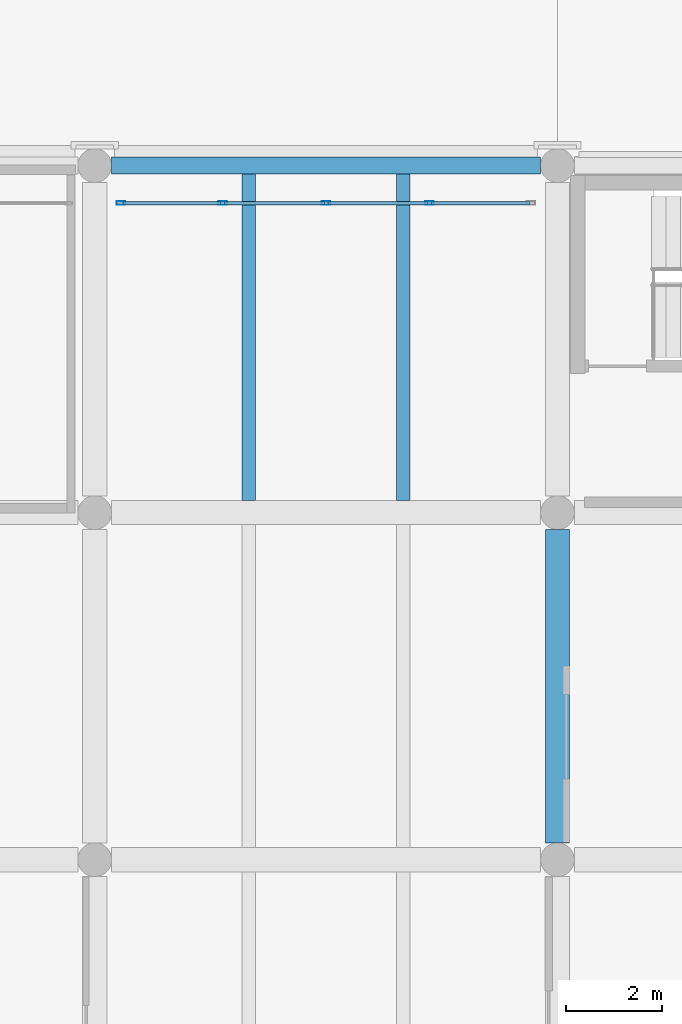
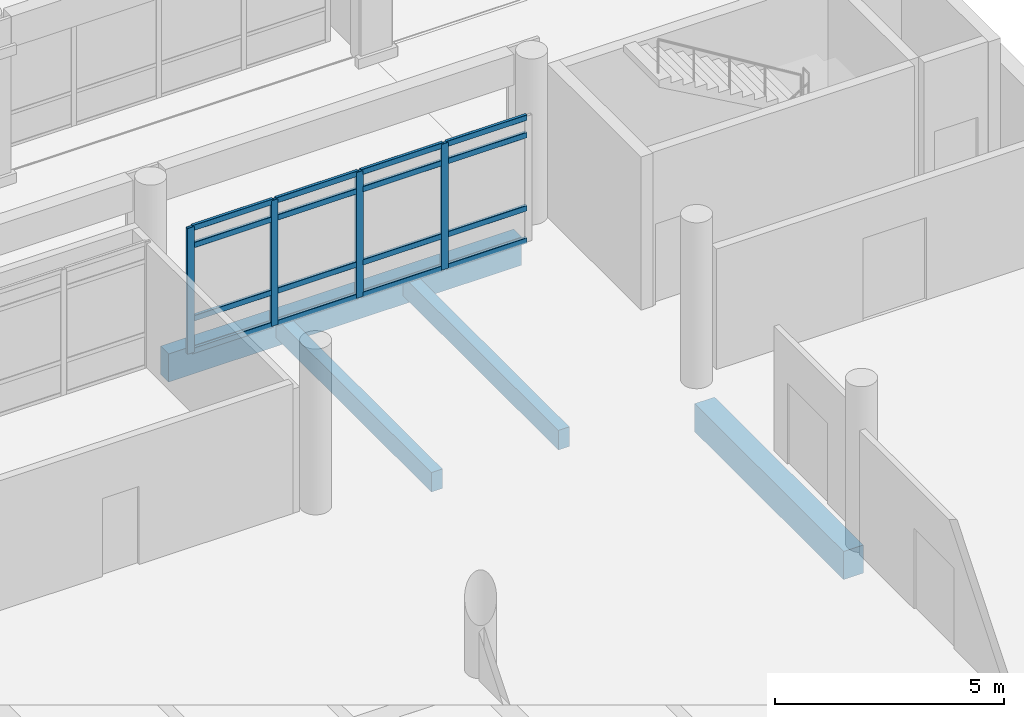
# One storey, part 42 of 196: 20 members, 4 beams, 1 element without a shape of its own.
"""IFC4 building model written with IfcOpenShell, lengths in metres."""

from ifc_helpers import new_model, si_unit, direction, frame, origin, origin_2d, place, context, subcontext, project, spatial, rectangle, hollow_rectangle, extrude, material, layer, layer_set, material_profile, profile_set, type_object, element, aggregate, save


model = new_model("IFC4")

# Units and contexts
model_context = context("Model", 3, precision=1e-05, world=origin(), true_north=direction((0.0, 1.0)))
body_context = subcontext(model_context, "Body", "Model", "MODEL_VIEW")
ifc_project = project(units=[si_unit("LENGTHUNIT", "METRE"), si_unit("AREAUNIT", "SQUARE_METRE"), si_unit("VOLUMEUNIT", "CUBIC_METRE"), si_unit("PLANEANGLEUNIT", "RADIAN"), si_unit("MASSUNIT", "GRAM", prefix="KILO")], contexts=[model_context])

# Site, building, storey
site_placement = place(None, origin())
site = spatial("IfcSite", under=ifc_project, at=site_placement, CompositionType="ELEMENT")
building_placement = place(site_placement, origin())
building = spatial("IfcBuilding", under=site, at=building_placement, Name="Asteropetra Specialist Clinic", CompositionType="ELEMENT")
storey_placement = place(building_placement, origin())
storey = spatial("IfcBuildingStorey", under=building, at=storey_placement, Name="L00", CompositionType="ELEMENT", Elevation=0.0)

# Beam
ifc_material_1 = material(Name="Concrete C35/45", Category="concrete")
ifc_material_profile_1 = material_profile(ifc_material_1, rectangle(XDim=0.5, YDim=0.75, at=origin_2d()), Name="RCB 500x750")
ifc_profile_set_1 = profile_set([ifc_material_profile_1], Name="Concrete C35/45")
beam_type_1 = type_object("IfcBeamType", Name="BM-RC500x750", PredefinedType="BEAM", material=ifc_profile_set_1)
beam_1_placement = place(storey_placement, frame((48.0, 12.35009765625, -0.715087890625), z_axis=(0.0, 1.0, 0.0), x_axis=(-1.0, 0.0, 0.0)))
element("IfcBeam", 1, at=beam_1_placement, inside=storey, type_object=beam_type_1, Name="Beam BBM04-0074", PredefinedType="BEAM", context=body_context, shape_type="SweptSolid", body=[
    extrude(rectangle(XDim=0.5, YDim=0.75, at=origin_2d()), origin(), (0.0, 0.0, 1.0), 6.5),
])

# Curtain wall, members
ifc_material_2 = material(Name="Aluminium and low-E glass", Category="aluminium")
ifc_layer = layer(ifc_material_2, 0.14990234375)
ifc_layer_set = layer_set([ifc_layer], Name="Aluminium and low-E glass")
curtain_wall_type = type_object("IfcCurtainWallType", Name="CW-SYS-11", PredefinedType="USERDEFINED", material=ifc_layer_set)
curtain_wall_placement = place(storey_placement, origin())
curtain_wall = element("IfcCurtainWall", 2, at=curtain_wall_placement, inside=storey, type_object=curtain_wall_type, Name="Curtain Wall CW-126", ObjectType="STICK GLAZED COLONNADE", PredefinedType="USERDEFINED")
ifc_material_3 = material(Name="Aluminium 6063-T6", Category="aluminium")
ifc_material_profile_2 = material_profile(ifc_material_3, hollow_rectangle(XDim=0.074951171875, YDim=0.179931640625, WallThickness=0.00390625, InnerFilletRadius=0.00390625, OuterFilletRadius=0.008056640625, at=origin_2d()), Name="MUL 180x75x4.0")
ifc_profile_set_2 = profile_set([ifc_material_profile_2], Name="Aluminium 6063-T6")
member_type_1 = type_object("IfcMemberType", Name="CWM-180x75", PredefinedType="MULLION", material=ifc_profile_set_2)
member_1_placement = place(storey_placement, frame((45.344970703125, 25.6201171875, 0.0), z_axis=(0.0, 0.0, 1.0), x_axis=(0.0, -1.0, 0.0)))
member_1 = element("IfcMember", 3, at=member_1_placement, type_object=member_type_1, Name="CW-126 mullion 2", PredefinedType="MULLION", context=body_context, shape_type="SweptSolid", body=[
    extrude(hollow_rectangle(XDim=0.074951171875, YDim=0.179931640625, WallThickness=0.00390625, InnerFilletRadius=0.00390625, OuterFilletRadius=0.008056640625, at=origin_2d()), origin(), (0.0, 0.0, 1.0), 3.35009765625),
])
member_2_placement = place(storey_placement, frame((43.199951171875, 25.6201171875, 0.0), z_axis=(0.0, 0.0, 1.0), x_axis=(0.0, -1.0, 0.0)))
member_2 = element("IfcMember", 4, at=member_2_placement, type_object=member_type_1, Name="CW-126 mullion 3", PredefinedType="MULLION", context=body_context, shape_type="SweptSolid", body=[
    extrude(hollow_rectangle(XDim=0.074951171875, YDim=0.179931640625, WallThickness=0.00390625, InnerFilletRadius=0.00390625, OuterFilletRadius=0.008056640625, at=origin_2d()), origin(), (0.0, 0.0, 1.0), 3.35009765625),
])
member_3_placement = place(storey_placement, frame((41.054931640625, 25.6201171875, 0.0), z_axis=(0.0, 0.0, 1.0), x_axis=(0.0, -1.0, 0.0)))
member_3 = element("IfcMember", 5, at=member_3_placement, type_object=member_type_1, Name="CW-126 mullion 4", PredefinedType="MULLION", context=body_context, shape_type="SweptSolid", body=[
    extrude(hollow_rectangle(XDim=0.074951171875, YDim=0.179931640625, WallThickness=0.00390625, InnerFilletRadius=0.00390625, OuterFilletRadius=0.008056640625, at=origin_2d()), origin(), (0.0, 0.0, 1.0), 3.35009765625),
])
member_4_placement = place(storey_placement, frame((38.947509765625, 25.6201171875, 0.0), z_axis=(0.0, 0.0, 1.0), x_axis=(0.0, -1.0, 0.0)))
member_4 = element("IfcMember", 6, at=member_4_placement, type_object=member_type_1, Name="CW-126 mullion 5", PredefinedType="MULLION", context=body_context, shape_type="SweptSolid", body=[
    extrude(hollow_rectangle(XDim=0.074951171875, YDim=0.179931640625, WallThickness=0.00390625, InnerFilletRadius=0.00390625, OuterFilletRadius=0.008056640625, at=origin_2d()), origin(), (0.0, 0.0, 1.0), 3.35009765625),
])
ifc_material_4 = material(Name="Aluminium 6063-T6", Category="aluminium")
ifc_material_profile_3 = material_profile(ifc_material_4, hollow_rectangle(XDim=0.074951171875, YDim=0.14990234375, WallThickness=0.00390625, InnerFilletRadius=0.00390625, OuterFilletRadius=0.008056640625, at=origin_2d()), Name="TRN 150x75x4.0")
ifc_profile_set_3 = profile_set([ifc_material_profile_3], Name="Aluminium 6063-T6")
member_type_2 = type_object("IfcMemberType", Name="CWT-150x75", PredefinedType="USERDEFINED", material=ifc_profile_set_3)
member_5_placement = place(storey_placement, frame((47.4150390625, 25.6201171875, 0.03759765625), z_axis=(-1.0, 0.0, 0.0), x_axis=(0.0, -1.0, 0.0)))
member_5 = element("IfcMember", 7, at=member_5_placement, type_object=member_type_2, Name="CW-126 transom 1.1", ObjectType="TRANSOM", PredefinedType="USERDEFINED", context=body_context, shape_type="SweptSolid", body=[
    extrude(hollow_rectangle(XDim=0.074951171875, YDim=0.14990234375, WallThickness=0.00390625, InnerFilletRadius=0.00390625, OuterFilletRadius=0.008056640625, at=origin_2d()), origin(), (0.0, 0.0, 1.0), 2.032470703125),
])
member_6_placement = place(storey_placement, frame((47.4150390625, 25.6201171875, 0.89990234375), z_axis=(-1.0, 0.0, 0.0), x_axis=(0.0, -1.0, 0.0)))
member_6 = element("IfcMember", 8, at=member_6_placement, type_object=member_type_2, Name="CW-126 transom 1.2", ObjectType="TRANSOM", PredefinedType="USERDEFINED", context=body_context, shape_type="SweptSolid", body=[
    extrude(hollow_rectangle(XDim=0.074951171875, YDim=0.14990234375, WallThickness=0.00390625, InnerFilletRadius=0.00390625, OuterFilletRadius=0.008056640625, at=origin_2d()), origin(), (0.0, 0.0, 1.0), 2.032470703125),
])
member_7_placement = place(storey_placement, frame((47.4150390625, 25.6201171875, 2.85009765625), z_axis=(-1.0, 0.0, 0.0), x_axis=(0.0, -1.0, 0.0)))
member_7 = element("IfcMember", 9, at=member_7_placement, type_object=member_type_2, Name="CW-126 transom 1.3", ObjectType="TRANSOM", PredefinedType="USERDEFINED", context=body_context, shape_type="SweptSolid", body=[
    extrude(hollow_rectangle(XDim=0.074951171875, YDim=0.14990234375, WallThickness=0.00390625, InnerFilletRadius=0.00390625, OuterFilletRadius=0.008056640625, at=origin_2d()), origin(), (0.0, 0.0, 1.0), 2.032470703125),
])
member_8_placement = place(storey_placement, frame((47.4150390625, 25.6201171875, 3.3125), z_axis=(-1.0, 0.0, 0.0), x_axis=(0.0, -1.0, 0.0)))
member_8 = element("IfcMember", 10, at=member_8_placement, type_object=member_type_2, Name="CW-126 transom 1.4", ObjectType="TRANSOM", PredefinedType="USERDEFINED", context=body_context, shape_type="SweptSolid", body=[
    extrude(hollow_rectangle(XDim=0.074951171875, YDim=0.14990234375, WallThickness=0.00390625, InnerFilletRadius=0.00390625, OuterFilletRadius=0.008056640625, at=origin_2d()), origin(), (0.0, 0.0, 1.0), 2.032470703125),
])
member_9_placement = place(storey_placement, frame((45.3076171875, 25.6201171875, 0.03759765625), z_axis=(-1.0, 0.0, 0.0), x_axis=(0.0, -1.0, 0.0)))
member_9 = element("IfcMember", 11, at=member_9_placement, type_object=member_type_2, Name="CW-126 transom 2.1", ObjectType="TRANSOM", PredefinedType="USERDEFINED", context=body_context, shape_type="SweptSolid", body=[
    extrude(hollow_rectangle(XDim=0.074951171875, YDim=0.14990234375, WallThickness=0.00390625, InnerFilletRadius=0.00390625, OuterFilletRadius=0.008056640625, at=origin_2d()), origin(), (0.0, 0.0, 1.0), 2.070068359375),
])
member_10_placement = place(storey_placement, frame((45.3076171875, 25.6201171875, 0.89990234375), z_axis=(-1.0, 0.0, 0.0), x_axis=(0.0, -1.0, 0.0)))
member_10 = element("IfcMember", 12, at=member_10_placement, type_object=member_type_2, Name="CW-126 transom 2.2", ObjectType="TRANSOM", PredefinedType="USERDEFINED", context=body_context, shape_type="SweptSolid", body=[
    extrude(hollow_rectangle(XDim=0.074951171875, YDim=0.14990234375, WallThickness=0.00390625, InnerFilletRadius=0.00390625, OuterFilletRadius=0.008056640625, at=origin_2d()), origin(), (0.0, 0.0, 1.0), 2.070068359375),
])
member_11_placement = place(storey_placement, frame((45.3076171875, 25.6201171875, 2.85009765625), z_axis=(-1.0, 0.0, 0.0), x_axis=(0.0, -1.0, 0.0)))
member_11 = element("IfcMember", 13, at=member_11_placement, type_object=member_type_2, Name="CW-126 transom 2.3", ObjectType="TRANSOM", PredefinedType="USERDEFINED", context=body_context, shape_type="SweptSolid", body=[
    extrude(hollow_rectangle(XDim=0.074951171875, YDim=0.14990234375, WallThickness=0.00390625, InnerFilletRadius=0.00390625, OuterFilletRadius=0.008056640625, at=origin_2d()), origin(), (0.0, 0.0, 1.0), 2.070068359375),
])
member_12_placement = place(storey_placement, frame((45.3076171875, 25.6201171875, 3.3125), z_axis=(-1.0, 0.0, 0.0), x_axis=(0.0, -1.0, 0.0)))
member_12 = element("IfcMember", 14, at=member_12_placement, type_object=member_type_2, Name="CW-126 transom 2.4", ObjectType="TRANSOM", PredefinedType="USERDEFINED", context=body_context, shape_type="SweptSolid", body=[
    extrude(hollow_rectangle(XDim=0.074951171875, YDim=0.14990234375, WallThickness=0.00390625, InnerFilletRadius=0.00390625, OuterFilletRadius=0.008056640625, at=origin_2d()), origin(), (0.0, 0.0, 1.0), 2.070068359375),
])
member_13_placement = place(storey_placement, frame((43.16259765625, 25.6201171875, 0.03759765625), z_axis=(-1.0, 0.0, 0.0), x_axis=(0.0, -1.0, 0.0)))
member_13 = element("IfcMember", 15, at=member_13_placement, type_object=member_type_2, Name="CW-126 transom 3.1", ObjectType="TRANSOM", PredefinedType="USERDEFINED", context=body_context, shape_type="SweptSolid", body=[
    extrude(hollow_rectangle(XDim=0.074951171875, YDim=0.14990234375, WallThickness=0.00390625, InnerFilletRadius=0.00390625, OuterFilletRadius=0.008056640625, at=origin_2d()), origin(), (0.0, 0.0, 1.0), 2.070068359375),
])
member_14_placement = place(storey_placement, frame((43.16259765625, 25.6201171875, 0.89990234375), z_axis=(-1.0, 0.0, 0.0), x_axis=(0.0, -1.0, 0.0)))
member_14 = element("IfcMember", 16, at=member_14_placement, type_object=member_type_2, Name="CW-126 transom 3.2", ObjectType="TRANSOM", PredefinedType="USERDEFINED", context=body_context, shape_type="SweptSolid", body=[
    extrude(hollow_rectangle(XDim=0.074951171875, YDim=0.14990234375, WallThickness=0.00390625, InnerFilletRadius=0.00390625, OuterFilletRadius=0.008056640625, at=origin_2d()), origin(), (0.0, 0.0, 1.0), 2.070068359375),
])
member_15_placement = place(storey_placement, frame((43.16259765625, 25.6201171875, 2.85009765625), z_axis=(-1.0, 0.0, 0.0), x_axis=(0.0, -1.0, 0.0)))
member_15 = element("IfcMember", 17, at=member_15_placement, type_object=member_type_2, Name="CW-126 transom 3.3", ObjectType="TRANSOM", PredefinedType="USERDEFINED", context=body_context, shape_type="SweptSolid", body=[
    extrude(hollow_rectangle(XDim=0.074951171875, YDim=0.14990234375, WallThickness=0.00390625, InnerFilletRadius=0.00390625, OuterFilletRadius=0.008056640625, at=origin_2d()), origin(), (0.0, 0.0, 1.0), 2.070068359375),
])
member_16_placement = place(storey_placement, frame((43.16259765625, 25.6201171875, 3.3125), z_axis=(-1.0, 0.0, 0.0), x_axis=(0.0, -1.0, 0.0)))
member_16 = element("IfcMember", 18, at=member_16_placement, type_object=member_type_2, Name="CW-126 transom 3.4", ObjectType="TRANSOM", PredefinedType="USERDEFINED", context=body_context, shape_type="SweptSolid", body=[
    extrude(hollow_rectangle(XDim=0.074951171875, YDim=0.14990234375, WallThickness=0.00390625, InnerFilletRadius=0.00390625, OuterFilletRadius=0.008056640625, at=origin_2d()), origin(), (0.0, 0.0, 1.0), 2.070068359375),
])
member_17_placement = place(storey_placement, frame((41.017578125, 25.6201171875, 0.03759765625), z_axis=(-1.0, 0.0, 0.0), x_axis=(0.0, -1.0, 0.0)))
member_17 = element("IfcMember", 19, at=member_17_placement, type_object=member_type_2, Name="CW-126 transom 4.1", ObjectType="TRANSOM", PredefinedType="USERDEFINED", context=body_context, shape_type="SweptSolid", body=[
    extrude(hollow_rectangle(XDim=0.074951171875, YDim=0.14990234375, WallThickness=0.00390625, InnerFilletRadius=0.00390625, OuterFilletRadius=0.008056640625, at=origin_2d()), origin(), (0.0, 0.0, 1.0), 2.032470703125),
])
member_18_placement = place(storey_placement, frame((41.017578125, 25.6201171875, 0.89990234375), z_axis=(-1.0, 0.0, 0.0), x_axis=(0.0, -1.0, 0.0)))
member_18 = element("IfcMember", 20, at=member_18_placement, type_object=member_type_2, Name="CW-126 transom 4.2", ObjectType="TRANSOM", PredefinedType="USERDEFINED", context=body_context, shape_type="SweptSolid", body=[
    extrude(hollow_rectangle(XDim=0.074951171875, YDim=0.14990234375, WallThickness=0.00390625, InnerFilletRadius=0.00390625, OuterFilletRadius=0.008056640625, at=origin_2d()), origin(), (0.0, 0.0, 1.0), 2.032470703125),
])
member_19_placement = place(storey_placement, frame((41.017578125, 25.6201171875, 2.85009765625), z_axis=(-1.0, 0.0, 0.0), x_axis=(0.0, -1.0, 0.0)))
member_19 = element("IfcMember", 21, at=member_19_placement, type_object=member_type_2, Name="CW-126 transom 4.3", ObjectType="TRANSOM", PredefinedType="USERDEFINED", context=body_context, shape_type="SweptSolid", body=[
    extrude(hollow_rectangle(XDim=0.074951171875, YDim=0.14990234375, WallThickness=0.00390625, InnerFilletRadius=0.00390625, OuterFilletRadius=0.008056640625, at=origin_2d()), origin(), (0.0, 0.0, 1.0), 2.032470703125),
])
member_20_placement = place(storey_placement, frame((41.017578125, 25.6201171875, 3.3125), z_axis=(-1.0, 0.0, 0.0), x_axis=(0.0, -1.0, 0.0)))
member_20 = element("IfcMember", 22, at=member_20_placement, type_object=member_type_2, Name="CW-126 transom 4.4", ObjectType="TRANSOM", PredefinedType="USERDEFINED", context=body_context, shape_type="SweptSolid", body=[
    extrude(hollow_rectangle(XDim=0.074951171875, YDim=0.14990234375, WallThickness=0.00390625, InnerFilletRadius=0.00390625, OuterFilletRadius=0.008056640625, at=origin_2d()), origin(), (0.0, 0.0, 1.0), 2.032470703125),
])
aggregate(curtain_wall, [member_1, member_2, member_3, member_4, member_5, member_6, member_7, member_8, member_9, member_10, member_11, member_12, member_13, member_14, member_15, member_16, member_17, member_18, member_19, member_20])

# Beams
ifc_material_5 = material(Name="Concrete C35/45", Category="concrete")
ifc_material_profile_4 = material_profile(ifc_material_5, rectangle(XDim=0.280029296875, YDim=0.52001953125, at=origin_2d()), Name="RCJ 280x520")
ifc_profile_set_4 = profile_set([ifc_material_profile_4], Name="Concrete C35/45")
beam_type_2 = type_object("IfcBeamType", Name="JST-RC280x520", PredefinedType="JOIST", material=ifc_profile_set_4)
for number, where, z_axis, x_axis, name in (
    (23, (41.60009765625, 19.449951171875, -0.60009765625), (0.0, 1.0, 0.0), (-1.0, 0.0, 0.0), "Joist JJST01-0101"),
    (24, (44.800048828125, 19.449951171875, -0.60009765625), (0.0, 1.0, 0.0), (-1.0, 0.0, 0.0), "Joist JJST01-0102"),
):
    element("IfcBeam", number, at=place(storey_placement, frame(where, z_axis=z_axis, x_axis=x_axis)), inside=storey, type_object=beam_type_2, Name=name, PredefinedType="JOIST", context=body_context, shape_type="SweptSolid", body=[
        extrude(rectangle(XDim=0.280029296875, YDim=0.52001953125, at=origin_2d()), origin(), (0.0, 0.0, 1.0), 6.775146484375),
    ])
ifc_material_6 = material(Name="Concrete C35/45", Category="concrete")
ifc_material_profile_5 = material_profile(ifc_material_6, rectangle(XDim=0.35009765625, YDim=0.75, at=origin_2d()), Name="RCS 350x750")
ifc_profile_set_5 = profile_set([ifc_material_profile_5], Name="Concrete C35/45")
beam_type_3 = type_object("IfcBeamType", Name="SPN-RC350x750", PredefinedType="SPANDREL", material=ifc_profile_set_5)
beam_2_placement = place(storey_placement, frame((38.75, 26.39990234375, -0.715087890625), z_axis=(1.0, 0.0, 0.0), x_axis=(0.0, 1.0, 0.0)))
element("IfcBeam", 25, at=beam_2_placement, inside=storey, type_object=beam_type_3, Name="Beam BSPN01-0029", PredefinedType="SPANDREL", context=body_context, shape_type="SweptSolid", body=[
    extrude(rectangle(XDim=0.35009765625, YDim=0.75, at=origin_2d()), origin(), (0.0, 0.0, 1.0), 8.89990234375),
])

save(model, "model.ifc")
